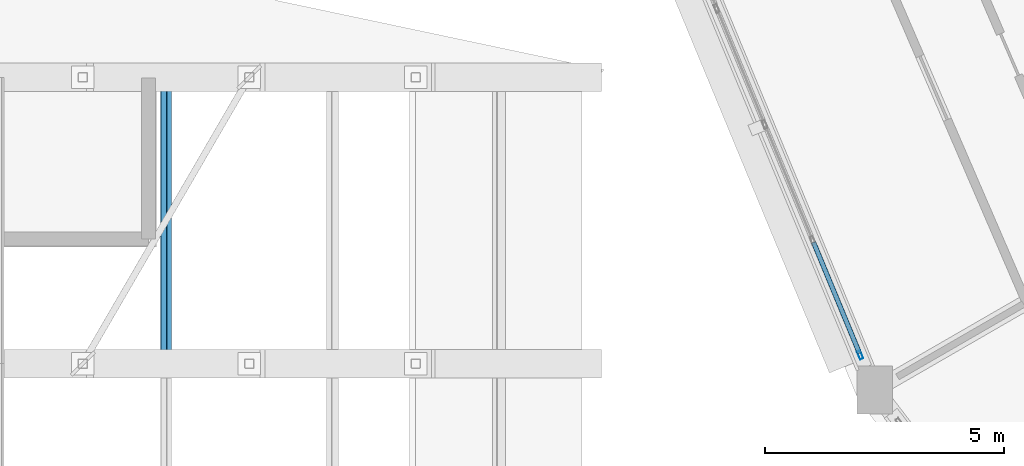
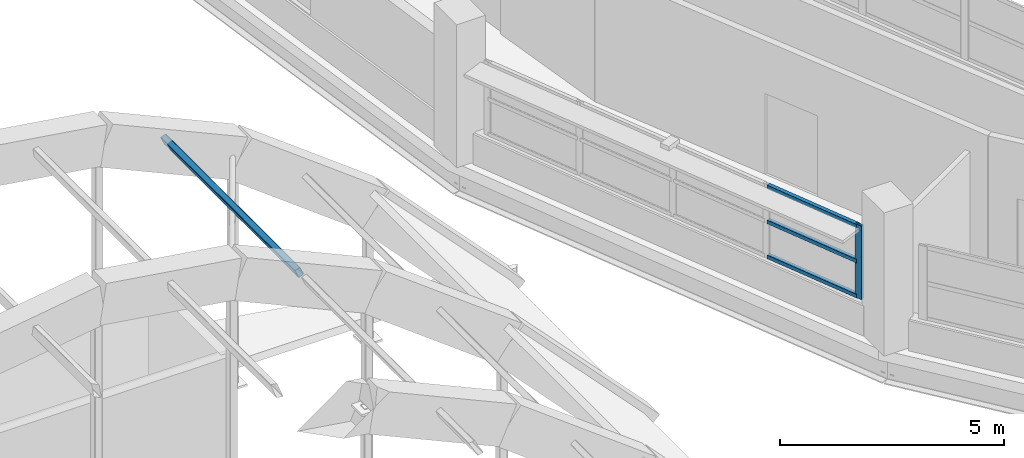
# One storey, part 13 of 88: 5 members, 1 element without a shape of its own.
"""IFC4 building model written with IfcOpenShell, lengths in metres."""

from ifc_helpers import new_model, si_unit, direction, frame, origin, origin_2d, place, context, subcontext, project, spatial, hollow_rectangle, extrude, material, layer, layer_set, material_profile, profile_set, type_object, element, aggregate, save


model = new_model("IFC4")

# Units and contexts
model_context = context("Model", 3, precision=1e-05, world=origin(), true_north=direction((0.0, 1.0)))
body_context = subcontext(model_context, "Body", "Model", "MODEL_VIEW")
ifc_project = project(units=[si_unit("LENGTHUNIT", "METRE"), si_unit("AREAUNIT", "SQUARE_METRE"), si_unit("VOLUMEUNIT", "CUBIC_METRE"), si_unit("PLANEANGLEUNIT", "RADIAN"), si_unit("MASSUNIT", "GRAM", prefix="KILO")], contexts=[model_context])

# Site, building, storey
site_placement = place(None, origin())
site = spatial("IfcSite", under=ifc_project, at=site_placement, CompositionType="ELEMENT")
building_placement = place(site_placement, origin())
building = spatial("IfcBuilding", under=site, at=building_placement, Name="Vespera Passage Community Centre", CompositionType="ELEMENT")
storey_placement = place(building_placement, frame((0.0, 0.0, 16.5)))
storey = spatial("IfcBuildingStorey", under=building, at=storey_placement, Name="L04", CompositionType="ELEMENT", Elevation=16.5)

# Curtain wall, members
ifc_material_1 = material(Name="Anodized aluminium 6063-T6", Category="aluminium")
ifc_layer = layer(ifc_material_1, 0.159912109375)
ifc_layer_set = layer_set([ifc_layer], Name="Anodized aluminium 6063-T6")
curtain_wall_type = type_object("IfcCurtainWallType", Name="CW-65E", PredefinedType="NOTDEFINED", material=ifc_layer_set)
curtain_wall_placement = place(storey_placement, origin())
curtain_wall = element("IfcCurtainWall", 1, at=curtain_wall_placement, inside=storey, type_object=curtain_wall_type, Name="V4 L04 Outer Ribbon Curtain Wall 13", PredefinedType="NOTDEFINED")
ifc_material_2 = material(Name="Anodized aluminium 6063-T6", Category="aluminium")
ifc_material_profile_1 = material_profile(ifc_material_2, hollow_rectangle(XDim=0.074951171875, YDim=0.179931640625, WallThickness=0.0048828125, InnerFilletRadius=0.00244140625, OuterFilletRadius=0.0048828125, at=origin_2d()), Name="ALU180X75X5")
ifc_profile_set_1 = profile_set([ifc_material_profile_1], Name="Anodized aluminium 6063-T6")
member_type_1 = type_object("IfcMemberType", Name="MB-CWM-180E", PredefinedType="MULLION", material=ifc_profile_set_1)
member_1_placement = place(storey_placement, frame((37.7724609375, 43.183349609375, 0.820068359375), z_axis=(0.0, 0.0, 1.0), x_axis=(-0.923881309405, -0.382679142535, 0.0)))
member_1 = element("IfcMember", 2, at=member_1_placement, type_object=member_type_1, Name="CW-65E mullion 1", PredefinedType="MULLION", context=body_context, shape_type="SweptSolid", body=[
    extrude(hollow_rectangle(XDim=0.074951171875, YDim=0.179931640625, WallThickness=0.0048828125, InnerFilletRadius=0.00244140625, OuterFilletRadius=0.0048828125, at=origin_2d()), origin(), (0.0, 0.0, 1.0), 2.005615234375),
])
ifc_material_3 = material(Name="Anodized aluminium 6063-T6", Category="aluminium")
ifc_material_profile_2 = material_profile(ifc_material_3, hollow_rectangle(XDim=0.10009765625, YDim=0.10009765625, WallThickness=0.00390625, InnerFilletRadius=0.001953125, OuterFilletRadius=0.00390625, at=origin_2d()), Name="ALU100X100X4")
ifc_profile_set_2 = profile_set([ifc_material_profile_2], Name="Anodized aluminium 6063-T6")
member_type_2 = type_object("IfcMemberType", Name="MB-CWT-100E", PredefinedType="USERDEFINED", material=ifc_profile_set_2)
member_2_placement = place(storey_placement, frame((37.758056640625, 43.2177734375, 0.8701171875), z_axis=(-0.3826800364, 0.923880939159, 0.0), x_axis=(-0.923880939159, -0.3826800364, 0.0)))
member_2 = element("IfcMember", 3, at=member_2_placement, type_object=member_type_2, Name="CW-65E transom 1.1", ObjectType="TRANSOM", PredefinedType="USERDEFINED", context=body_context, shape_type="SweptSolid", body=[
    extrude(hollow_rectangle(XDim=0.10009765625, YDim=0.10009765625, WallThickness=0.00390625, InnerFilletRadius=0.001953125, OuterFilletRadius=0.00390625, at=origin_2d()), origin(), (0.0, 0.0, 1.0), 2.51806640625),
])
member_3_placement = place(storey_placement, frame((37.758056640625, 43.2177734375, 1.82275390625), z_axis=(-0.3826800364, 0.923880939159, 0.0), x_axis=(-0.923880939159, -0.3826800364, 0.0)))
member_3 = element("IfcMember", 4, at=member_3_placement, type_object=member_type_2, Name="CW-65E transom 1.2", ObjectType="TRANSOM", PredefinedType="USERDEFINED", context=body_context, shape_type="SweptSolid", body=[
    extrude(hollow_rectangle(XDim=0.10009765625, YDim=0.10009765625, WallThickness=0.00390625, InnerFilletRadius=0.001953125, OuterFilletRadius=0.00390625, at=origin_2d()), origin(), (0.0, 0.0, 1.0), 2.51806640625),
])
member_4_placement = place(storey_placement, frame((37.758056640625, 43.2177734375, 2.775634765625), z_axis=(-0.3826800364, 0.923880939159, 0.0), x_axis=(-0.923880939159, -0.3826800364, 0.0)))
member_4 = element("IfcMember", 5, at=member_4_placement, type_object=member_type_2, Name="CW-65E transom 1.3", ObjectType="TRANSOM", PredefinedType="USERDEFINED", context=body_context, shape_type="SweptSolid", body=[
    extrude(hollow_rectangle(XDim=0.10009765625, YDim=0.10009765625, WallThickness=0.00390625, InnerFilletRadius=0.001953125, OuterFilletRadius=0.00390625, at=origin_2d()), origin(), (0.0, 0.0, 1.0), 2.51806640625),
])
aggregate(curtain_wall, [member_1, member_2, member_3, member_4])

# Member
ifc_material_4 = material(Name="Steel ASTM A500 Grade C", Category="steel")
ifc_material_profile_3 = material_profile(ifc_material_4, hollow_rectangle(XDim=0.15234375, YDim=0.25390625, WallThickness=0.01171875, InnerFilletRadius=0.01171875, OuterFilletRadius=0.023681640625, at=origin_2d()), Name="HSS254X152X12.7")
ifc_profile_set_3 = profile_set([ifc_material_profile_3], Name="Steel ASTM A500 Grade C")
member_type_3 = type_object("IfcMemberType", Name="MB-PR-HSS254X152", PredefinedType="PURLIN", material=ifc_profile_set_3)
member_5_placement = place(storey_placement, frame((23.231201171875, 43.0, 6.71044921875), z_axis=(0.0, 1.0, 0.0), x_axis=(-0.911367361763, 0.0, -0.411593891978)))
element("IfcMember", 6, at=member_5_placement, inside=storey, type_object=member_type_3, Name="Main Hall Vault Purlin B7.6", PredefinedType="PURLIN", context=body_context, shape_type="SweptSolid", body=[
    extrude(hollow_rectangle(XDim=0.15234375, YDim=0.25390625, WallThickness=0.01171875, InnerFilletRadius=0.01171875, OuterFilletRadius=0.023681640625, at=origin_2d()), origin(), (0.0, 0.0, 1.0), 6.0),
])

save(model, "model.ifc")
